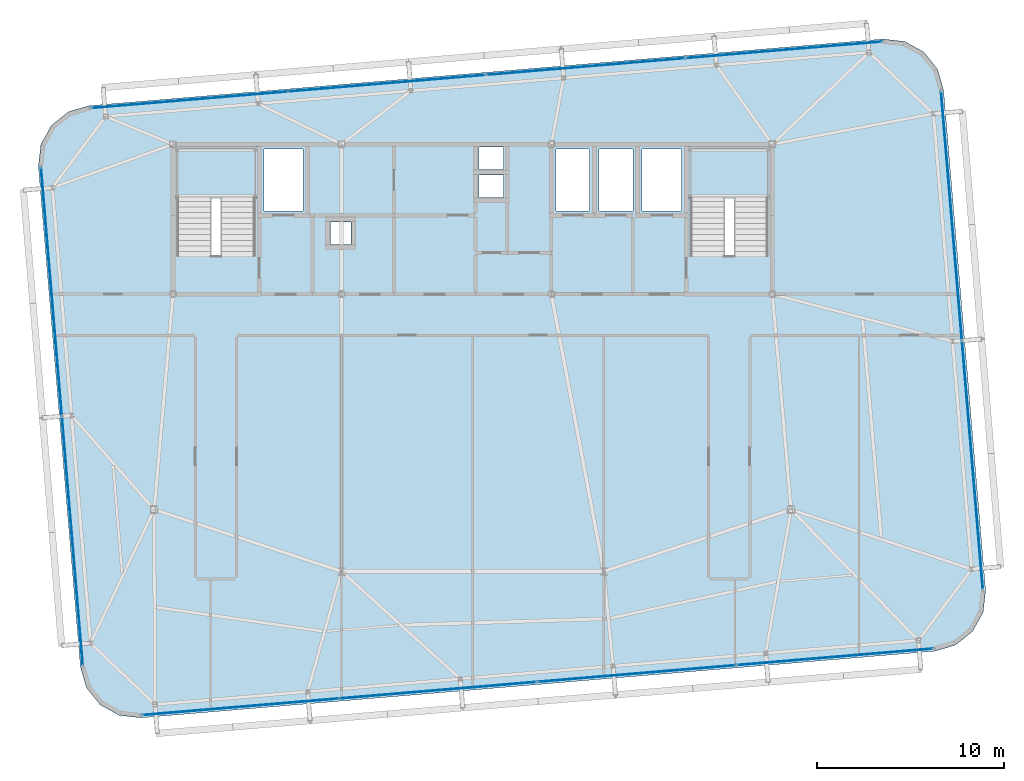
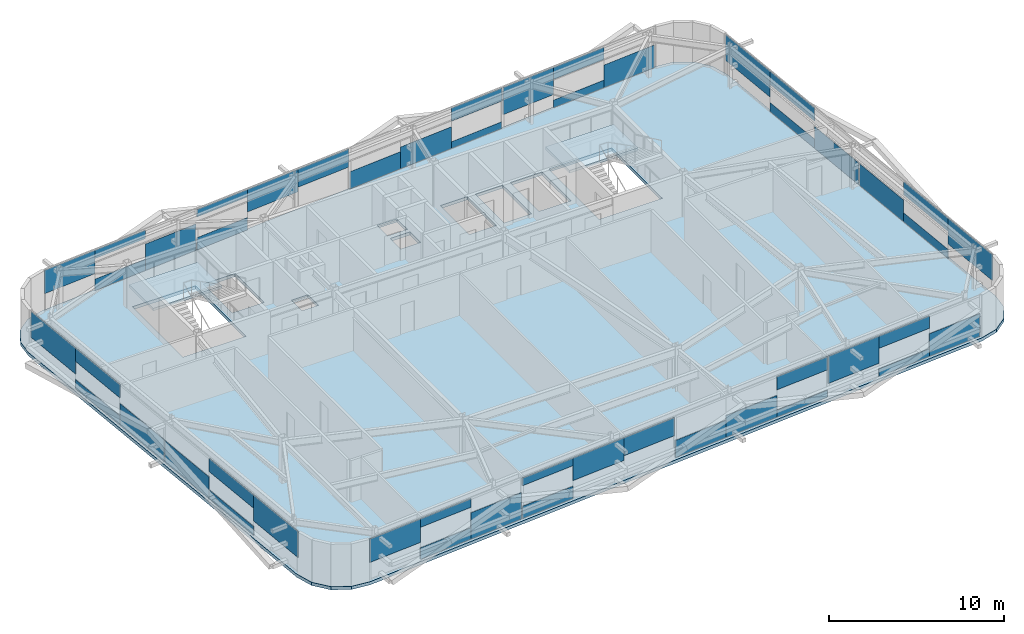
# One storey, part 26 of 39: 48 plates, 3 slabs, 6 elements without a shape of their own.
"""IFC4 building model written with IfcOpenShell, lengths in metres."""

from ifc_helpers import new_model, si_unit, direction, frame, origin, origin_2d, place, context, subcontext, project, spatial, polyline, rectangle, outline, extrude, source, transform, mapped, material, layer, layer_set, type_object, element, aggregate, save


model = new_model("IFC4")

# Units and contexts
model_context = context("Model", 3, precision=1e-05, world=origin(), true_north=direction((0.0, 1.0)))
body_context = subcontext(model_context, "Body", "Model", "MODEL_VIEW")
ifc_project = project(units=[si_unit("LENGTHUNIT", "METRE"), si_unit("AREAUNIT", "SQUARE_METRE"), si_unit("VOLUMEUNIT", "CUBIC_METRE"), si_unit("PLANEANGLEUNIT", "RADIAN"), si_unit("MASSUNIT", "GRAM", prefix="KILO")], contexts=[model_context])

# Site, building, storey
site_placement = place(None, origin())
site = spatial("IfcSite", under=ifc_project, at=site_placement, CompositionType="ELEMENT")
building_placement = place(site_placement, origin())
building = spatial("IfcBuilding", under=site, at=building_placement, Name="Taldren Reach Tower", CompositionType="ELEMENT")
storey_placement = place(building_placement, frame((0.0, 0.0, 178.85009765625)))
storey = spatial("IfcBuildingStorey", under=building, at=storey_placement, Name="L54", CompositionType="ELEMENT", Elevation=178.85009765625)

# Slab
ifc_material_1 = material(Name="Concrete N40 (40 MPa)", Category="concrete")
ifc_layer_1 = layer(ifc_material_1, 0.219970703125)
ifc_layer_set_1 = layer_set([ifc_layer_1], Name="Concrete N40 (40 MPa)")
slab_type_1 = type_object("IfcSlabType", Name="SL-FLR-220", PredefinedType="FLOOR", material=ifc_layer_set_1)
slab_1_placement = place(storey_placement, frame((0.0, 0.0, -0.22021484375)))
element("IfcSlab", 1, at=slab_1_placement, inside=storey, type_object=slab_type_1, Name="Suspended floor slab L54", PredefinedType="FLOOR", context=body_context, shape_type="SweptSolid", body=[
    extrude(outline(polyline([(59.647705078125, 4.935791015625), (60.772705078125, 5.25927734375), (61.688232421875, 5.98876953125), (62.254638671875, 7.012939453125), (62.38623046875, 8.17626953125), (60.1435546875, 34.882080078125), (59.820068359375, 36.007080078125), (59.090576171875, 36.922607421875), (58.06640625, 37.4892578125), (56.903076171875, 37.62060546875), (14.55224609375, 34.064208984375), (13.42724609375, 33.74072265625), (12.511962890625, 33.01123046875), (11.9453125, 31.987060546875), (11.813720703125, 30.82373046875), (14.056396484375, 4.117919921875), (14.3798828125, 2.992919921875), (15.109375, 2.077392578125), (16.1337890625, 1.5107421875), (17.296875, 1.37939453125), (59.647705078125, 4.935791015625)]), holes=[polyline([(19.219970703125, 26.050048828125), (23.3798828125, 26.050048828125), (23.3798828125, 31.820068359375), (19.219970703125, 31.820068359375), (19.219970703125, 26.050048828125)]), polyline([(46.6201171875, 26.050048828125), (50.780029296875, 26.050048828125), (50.780029296875, 31.820068359375), (46.6201171875, 31.820068359375), (46.6201171875, 26.050048828125)]), polyline([(23.85009765625, 28.449951171875), (25.949951171875, 28.449951171875), (25.949951171875, 31.75), (23.85009765625, 31.75), (23.85009765625, 28.449951171875)]), polyline([(44.050048828125, 28.449951171875), (46.14990234375, 28.449951171875), (46.14990234375, 31.75), (44.050048828125, 31.75), (44.050048828125, 28.449951171875)]), polyline([(39.449951171875, 28.449951171875), (41.25, 28.449951171875), (41.25, 31.75), (39.449951171875, 31.75), (39.449951171875, 28.449951171875)]), polyline([(41.75, 28.449951171875), (43.550048828125, 28.449951171875), (43.550048828125, 31.75), (41.75, 31.75), (41.75, 28.449951171875)]), polyline([(35.35009765625, 30.64990234375), (36.64990234375, 30.64990234375), (36.64990234375, 31.85009765625), (35.35009765625, 31.85009765625), (35.35009765625, 30.64990234375)]), polyline([(35.35009765625, 29.14990234375), (36.64990234375, 29.14990234375), (36.64990234375, 30.35009765625), (35.35009765625, 30.35009765625), (35.35009765625, 29.14990234375)]), polyline([(27.39990234375, 26.64990234375), (28.5, 26.64990234375), (28.5, 27.85009765625), (27.39990234375, 27.85009765625), (27.39990234375, 26.64990234375)])]), origin(), (0.0, 0.0, 1.0), 0.22021484375),
])

# Stair, slab
ifc_material_2 = material(Name="Concrete S50 (50 MPa)", Category="concrete")
stair_type = type_object("IfcStairType", Name="ST-HT-315", PredefinedType="HALF_TURN_STAIR", material=ifc_material_2)
stair_1_placement = place(storey_placement, origin())
stair_1 = element("IfcStair", 2, at=stair_1_placement, inside=storey, type_object=stair_type, Name="Fire-isolated exit stair ST1 L54", PredefinedType="HALF_TURN_STAIR")
ifc_layer_2 = layer(ifc_material_2, 0.179931640625)
ifc_layer_set_2 = layer_set([ifc_layer_2], Name="Concrete S50 (50 MPa)")
slab_type_2 = type_object("IfcSlabType", Name="SL-LAND-180", PredefinedType="LANDING", material=ifc_layer_set_2)
slab_2_placement = place(storey_placement, frame((0.0, 0.0, 1.39501953125)))
slab_2 = element("IfcSlab", 3, at=slab_2_placement, type_object=slab_type_2, Name="ST1 landing 1", PredefinedType="LANDING", context=body_context, shape_type="SweptSolid", body=[
    extrude(outline(polyline([(19.0400390625, 29.135009765625), (23.56005859375, 29.135009765625), (23.56005859375, 31.8701171875), (19.0400390625, 31.8701171875), (19.0400390625, 29.135009765625)])), origin(), (0.0, 0.0, 1.0), 0.179931640625),
])
aggregate(stair_1, [slab_2])

stair_2_placement = place(storey_placement, origin())
stair_2 = element("IfcStair", 4, at=stair_2_placement, inside=storey, type_object=stair_type, Name="Fire-isolated exit stair ST2 L54", PredefinedType="HALF_TURN_STAIR")
slab_3_placement = place(storey_placement, frame((0.0, 0.0, 1.39501953125)))
slab_3 = element("IfcSlab", 5, at=slab_3_placement, type_object=slab_type_2, Name="ST2 landing 1", PredefinedType="LANDING", context=body_context, shape_type="SweptSolid", body=[
    extrude(outline(polyline([(46.43994140625, 29.135009765625), (50.9599609375, 29.135009765625), (50.9599609375, 31.8701171875), (46.43994140625, 31.8701171875), (46.43994140625, 29.135009765625)])), origin(), (0.0, 0.0, 1.0), 0.179931640625),
])
aggregate(stair_2, [slab_3])

# Curtain wall, plate
ifc_material_3 = material(Name="Aluminium and Low-E Glass Unitised System", Category="aluminium")
ifc_layer_3 = layer(ifc_material_3, 0.159912109375)
ifc_layer_set_3 = layer_set([ifc_layer_3], Name="Aluminium and Low-E Glass Unitised System")
curtain_wall_type = type_object("IfcCurtainWallType", Name="CW-SYS-5", PredefinedType="NOTDEFINED", material=ifc_layer_set_3)
curtain_wall_1_placement = place(storey_placement, origin())
curtain_wall_1 = element("IfcCurtainWall", 6, at=curtain_wall_1_placement, inside=storey, type_object=curtain_wall_type, Name="Unitised curtain wall CW-L54-S", PredefinedType="NOTDEFINED")
ifc_material_4 = material(Name="Acoustic Triple-Laminated IGU", Category="glass")
ifc_layer_4 = layer(ifc_material_4, 0.035888671875)
ifc_layer_set_4 = layer_set([ifc_layer_4], Name="Acoustic Triple-Laminated IGU")
plate_type = type_object("IfcPlateType", Name="CW-PNL-IGU36", PredefinedType="CURTAIN_PANEL", material=ifc_layer_set_4)
shared_shape_1 = source(origin(), body_context, "Body", "SweptSolid", [
    extrude(rectangle(XDim=3.506591796875, YDim=0.035888671875, at=origin_2d()), origin(), (0.0, 0.0, 1.0), 1.63232421875),
])
plate_1_placement = place(storey_placement, frame((19.10205078125, 1.67138671875, 1.237548828125), z_axis=(0.0, 0.0, 1.0), x_axis=(0.996492854922, 0.083677894865, 0.0)))
plate_1 = element("IfcPlate", 7, at=plate_1_placement, type_object=plate_type, Name="CW-5 panel 1.1 part 1", PredefinedType="CURTAIN_PANEL", context=body_context, shape_type="MappedRepresentation", body=[
    mapped(shared_shape_1, transform((0.0, 0.0, 0.0), scale=1.0)),
])

curtain_wall_2_placement = place(storey_placement, origin())
curtain_wall_2 = element("IfcCurtainWall", 8, at=curtain_wall_2_placement, inside=storey, type_object=curtain_wall_type, Name="Unitised curtain wall CW-L54-N", PredefinedType="NOTDEFINED")
plate_2_placement = place(storey_placement, frame((16.380859375, 34.077392578125, 1.237548828125), z_axis=(0.0, 0.0, 1.0), x_axis=(-0.99649285657, -0.083677875247, 0.0)))
plate_2 = element("IfcPlate", 9, at=plate_2_placement, type_object=plate_type, Name="CW-5 panel 4.1 part 4", PredefinedType="CURTAIN_PANEL", context=body_context, shape_type="MappedRepresentation", body=[
    mapped(shared_shape_1, transform((0.0, 0.0, 0.0), scale=1.0)),
])

# Plate
shared_shape_2 = source(origin(), body_context, "Body", "SweptSolid", [
    extrude(rectangle(XDim=3.506591796875, YDim=0.035888671875, at=origin_2d()), origin(), (0.0, 0.0, 1.0), 0.7919921875),
])
plate_3_placement = place(storey_placement, frame((22.596435546875, 1.96484375, 0.06005859375), z_axis=(0.0, 0.0, 1.0), x_axis=(0.996492854922, 0.083677894865, 0.0)))
plate_3 = element("IfcPlate", 10, at=plate_3_placement, type_object=plate_type, Name="CW-5 panel 1.1 part 2", PredefinedType="CURTAIN_PANEL", context=body_context, shape_type="MappedRepresentation", body=[
    mapped(shared_shape_2, transform((0.0, 0.0, 0.0), scale=1.0)),
])

plate_4_placement = place(storey_placement, frame((19.875244140625, 34.370849609375, 0.06005859375), z_axis=(0.0, 0.0, 1.0), x_axis=(-0.99649285657, -0.083677875247, 0.0)))
plate_4 = element("IfcPlate", 11, at=plate_4_placement, type_object=plate_type, Name="CW-5 panel 4.1 part 2", PredefinedType="CURTAIN_PANEL", context=body_context, shape_type="MappedRepresentation", body=[
    mapped(shared_shape_2, transform((0.0, 0.0, 0.0), scale=1.0)),
])

shared_shape_3 = source(origin(), body_context, "Body", "SweptSolid", [
    extrude(rectangle(XDim=3.506591796875, YDim=0.035888671875, at=origin_2d()), origin(), (0.0, 0.0, 1.0), 0.590576171875),
])
plate_5_placement = place(storey_placement, frame((22.596435546875, 1.96484375, 2.279296875), z_axis=(0.0, 0.0, 1.0), x_axis=(0.996492854922, 0.083677894865, 0.0)))
plate_5 = element("IfcPlate", 12, at=plate_5_placement, type_object=plate_type, Name="CW-5 panel 1.1 part 3", PredefinedType="CURTAIN_PANEL", context=body_context, shape_type="MappedRepresentation", body=[
    mapped(shared_shape_3, transform((0.0, 0.0, 0.0), scale=1.0)),
])

plate_6_placement = place(storey_placement, frame((19.875244140625, 34.370849609375, 2.279296875), z_axis=(0.0, 0.0, 1.0), x_axis=(-0.99649285657, -0.083677875247, 0.0)))
plate_6 = element("IfcPlate", 13, at=plate_6_placement, type_object=plate_type, Name="CW-5 panel 4.1 part 3", PredefinedType="CURTAIN_PANEL", context=body_context, shape_type="MappedRepresentation", body=[
    mapped(shared_shape_3, transform((0.0, 0.0, 0.0), scale=1.0)),
])

shared_shape_4 = source(origin(), body_context, "Body", "SweptSolid", [
    extrude(rectangle(XDim=3.506591796875, YDim=0.035888671875, at=origin_2d()), origin(), (0.0, 0.0, 1.0), 1.833740234375),
])
plate_7_placement = place(storey_placement, frame((26.0908203125, 2.25830078125, 0.06005859375), z_axis=(0.0, 0.0, 1.0), x_axis=(0.996492854922, 0.083677894865, 0.0)))
plate_7 = element("IfcPlate", 14, at=plate_7_placement, type_object=plate_type, Name="CW-5 panel 1.1 part 4", PredefinedType="CURTAIN_PANEL", context=body_context, shape_type="MappedRepresentation", body=[
    mapped(shared_shape_4, transform((0.0, 0.0, 0.0), scale=1.0)),
])

plate_8_placement = place(storey_placement, frame((23.36962890625, 34.664306640625, 0.06005859375), z_axis=(0.0, 0.0, 1.0), x_axis=(-0.99649285657, -0.083677875247, 0.0)))
plate_8 = element("IfcPlate", 15, at=plate_8_placement, type_object=plate_type, Name="CW-5 panel 4.1 part 1", PredefinedType="CURTAIN_PANEL", context=body_context, shape_type="MappedRepresentation", body=[
    mapped(shared_shape_4, transform((0.0, 0.0, 0.0), scale=1.0)),
])

shared_shape_5 = source(origin(), body_context, "Body", "SweptSolid", [
    extrude(rectangle(XDim=3.518310546875, YDim=0.035888671875, at=origin_2d()), origin(), (0.0, 0.0, 1.0), 0.85302734375),
])
plate_9_placement = place(storey_placement, frame((29.66064453125, 2.55810546875, 0.059814453125), z_axis=(0.0, 0.0, 1.0), x_axis=(0.996492854922, 0.083677894865, 0.0)))
plate_9 = element("IfcPlate", 16, at=plate_9_placement, type_object=plate_type, Name="CW-5 panel 2.1 part 1", PredefinedType="CURTAIN_PANEL", context=body_context, shape_type="MappedRepresentation", body=[
    mapped(shared_shape_5, transform((0.0, 0.0, 0.0), scale=1.0)),
])

plate_10_placement = place(storey_placement, frame((26.939453125, 34.964111328125, 0.059814453125), z_axis=(0.0, 0.0, 1.0), x_axis=(-0.99649285657, -0.083677875247, 0.0)))
plate_10 = element("IfcPlate", 17, at=plate_10_placement, type_object=plate_type, Name="CW-5 panel 3.1 part 3", PredefinedType="CURTAIN_PANEL", context=body_context, shape_type="MappedRepresentation", body=[
    mapped(shared_shape_5, transform((0.0, 0.0, 0.0), scale=1.0)),
])

shared_shape_6 = source(origin(), body_context, "Body", "SweptSolid", [
    extrude(rectangle(XDim=3.518310546875, YDim=0.035888671875, at=origin_2d()), origin(), (0.0, 0.0, 1.0), 0.5263671875),
])
plate_11_placement = place(storey_placement, frame((29.66064453125, 2.55810546875, 2.343505859375), z_axis=(0.0, 0.0, 1.0), x_axis=(0.996492854922, 0.083677894865, 0.0)))
plate_11 = element("IfcPlate", 18, at=plate_11_placement, type_object=plate_type, Name="CW-5 panel 2.1 part 2", PredefinedType="CURTAIN_PANEL", context=body_context, shape_type="MappedRepresentation", body=[
    mapped(shared_shape_6, transform((0.0, 0.0, 0.0), scale=1.0)),
])

plate_12_placement = place(storey_placement, frame((26.939453125, 34.964111328125, 2.343505859375), z_axis=(0.0, 0.0, 1.0), x_axis=(-0.99649285657, -0.083677875247, 0.0)))
plate_12 = element("IfcPlate", 19, at=plate_12_placement, type_object=plate_type, Name="CW-5 panel 3.1 part 4", PredefinedType="CURTAIN_PANEL", context=body_context, shape_type="MappedRepresentation", body=[
    mapped(shared_shape_6, transform((0.0, 0.0, 0.0), scale=1.0)),
])

shared_shape_7 = source(origin(), body_context, "Body", "SweptSolid", [
    extrude(rectangle(XDim=3.518310546875, YDim=0.035888671875, at=origin_2d()), origin(), (0.0, 0.0, 1.0), 1.571533203125),
])
plate_13_placement = place(storey_placement, frame((33.166748046875, 2.8525390625, 1.29833984375), z_axis=(0.0, 0.0, 1.0), x_axis=(0.996492854922, 0.083677894865, 0.0)))
plate_13 = element("IfcPlate", 20, at=plate_13_placement, type_object=plate_type, Name="CW-5 panel 2.1 part 3", PredefinedType="CURTAIN_PANEL", context=body_context, shape_type="MappedRepresentation", body=[
    mapped(shared_shape_7, transform((0.0, 0.0, 0.0), scale=1.0)),
])

plate_14_placement = place(storey_placement, frame((30.445556640625, 35.258544921875, 1.29833984375), z_axis=(0.0, 0.0, 1.0), x_axis=(-0.99649285657, -0.083677875247, 0.0)))
plate_14 = element("IfcPlate", 21, at=plate_14_placement, type_object=plate_type, Name="CW-5 panel 3.1 part 2", PredefinedType="CURTAIN_PANEL", context=body_context, shape_type="MappedRepresentation", body=[
    mapped(shared_shape_7, transform((0.0, 0.0, 0.0), scale=1.0)),
])

shared_shape_8 = source(origin(), body_context, "Body", "SweptSolid", [
    extrude(rectangle(XDim=3.518310546875, YDim=0.035888671875, at=origin_2d()), origin(), (0.0, 0.0, 1.0), 1.252685546875),
])
plate_15_placement = place(storey_placement, frame((36.672607421875, 3.14697265625, 1.6171875), z_axis=(0.0, 0.0, 1.0), x_axis=(0.996492854922, 0.083677894865, 0.0)))
plate_15 = element("IfcPlate", 22, at=plate_15_placement, type_object=plate_type, Name="CW-5 panel 2.1 part 4", PredefinedType="CURTAIN_PANEL", context=body_context, shape_type="MappedRepresentation", body=[
    mapped(shared_shape_8, transform((0.0, 0.0, 0.0), scale=1.0)),
])

plate_16_placement = place(storey_placement, frame((33.951416015625, 35.552734375, 1.6171875), z_axis=(0.0, 0.0, 1.0), x_axis=(-0.99649285657, -0.083677875247, 0.0)))
plate_16 = element("IfcPlate", 23, at=plate_16_placement, type_object=plate_type, Name="CW-5 panel 3.1 part 1", PredefinedType="CURTAIN_PANEL", context=body_context, shape_type="MappedRepresentation", body=[
    mapped(shared_shape_8, transform((0.0, 0.0, 0.0), scale=1.0)),
])

shared_shape_9 = source(origin(), body_context, "Body", "SweptSolid", [
    extrude(rectangle(XDim=3.518310546875, YDim=0.035888671875, at=origin_2d()), origin(), (0.0, 0.0, 1.0), 1.192626953125),
])
plate_17_placement = place(storey_placement, frame((40.24853515625, 3.447265625, 0.06005859375), z_axis=(0.0, 0.0, 1.0), x_axis=(0.996492854922, 0.083677894865, 0.0)))
plate_17 = element("IfcPlate", 24, at=plate_17_placement, type_object=plate_type, Name="CW-5 panel 3.1 part 1", PredefinedType="CURTAIN_PANEL", context=body_context, shape_type="MappedRepresentation", body=[
    mapped(shared_shape_9, transform((0.0, 0.0, 0.0), scale=1.0)),
])

plate_18_placement = place(storey_placement, frame((37.52734375, 35.85302734375, 0.06005859375), z_axis=(0.0, 0.0, 1.0), x_axis=(-0.99649285657, -0.083677875247, 0.0)))
plate_18 = element("IfcPlate", 25, at=plate_18_placement, type_object=plate_type, Name="CW-5 panel 2.1 part 4", PredefinedType="CURTAIN_PANEL", context=body_context, shape_type="MappedRepresentation", body=[
    mapped(shared_shape_9, transform((0.0, 0.0, 0.0), scale=1.0)),
])

shared_shape_10 = source(origin(), body_context, "Body", "SweptSolid", [
    extrude(rectangle(XDim=3.518310546875, YDim=0.035888671875, at=origin_2d()), origin(), (0.0, 0.0, 1.0), 1.511474609375),
])
plate_19_placement = place(storey_placement, frame((43.75439453125, 3.741455078125, 0.06005859375), z_axis=(0.0, 0.0, 1.0), x_axis=(0.996492854922, 0.083677894865, 0.0)))
plate_19 = element("IfcPlate", 26, at=plate_19_placement, type_object=plate_type, Name="CW-5 panel 3.1 part 2", PredefinedType="CURTAIN_PANEL", context=body_context, shape_type="MappedRepresentation", body=[
    mapped(shared_shape_10, transform((0.0, 0.0, 0.0), scale=1.0)),
])

plate_20_placement = place(storey_placement, frame((41.033203125, 36.1474609375, 0.06005859375), z_axis=(0.0, 0.0, 1.0), x_axis=(-0.99649285657, -0.083677875247, 0.0)))
plate_20 = element("IfcPlate", 27, at=plate_20_placement, type_object=plate_type, Name="CW-5 panel 2.1 part 3", PredefinedType="CURTAIN_PANEL", context=body_context, shape_type="MappedRepresentation", body=[
    mapped(shared_shape_10, transform((0.0, 0.0, 0.0), scale=1.0)),
])

shared_shape_11 = source(origin(), body_context, "Body", "SweptSolid", [
    extrude(rectangle(XDim=3.518310546875, YDim=0.035888671875, at=origin_2d()), origin(), (0.0, 0.0, 1.0), 0.46630859375),
])
plate_21_placement = place(storey_placement, frame((47.260498046875, 4.035888671875, 0.059814453125), z_axis=(0.0, 0.0, 1.0), x_axis=(0.996492854922, 0.083677894865, 0.0)))
plate_21 = element("IfcPlate", 28, at=plate_21_placement, type_object=plate_type, Name="CW-5 panel 3.1 part 3", PredefinedType="CURTAIN_PANEL", context=body_context, shape_type="MappedRepresentation", body=[
    mapped(shared_shape_11, transform((0.0, 0.0, 0.0), scale=1.0)),
])

plate_22_placement = place(storey_placement, frame((44.539306640625, 36.44189453125, 0.059814453125), z_axis=(0.0, 0.0, 1.0), x_axis=(-0.99649285657, -0.083677875247, 0.0)))
plate_22 = element("IfcPlate", 29, at=plate_22_placement, type_object=plate_type, Name="CW-5 panel 2.1 part 1", PredefinedType="CURTAIN_PANEL", context=body_context, shape_type="MappedRepresentation", body=[
    mapped(shared_shape_11, transform((0.0, 0.0, 0.0), scale=1.0)),
])

shared_shape_12 = source(origin(), body_context, "Body", "SweptSolid", [
    extrude(rectangle(XDim=3.518310546875, YDim=0.035888671875, at=origin_2d()), origin(), (0.0, 0.0, 1.0), 0.9130859375),
])
plate_23_placement = place(storey_placement, frame((47.260498046875, 4.035888671875, 1.956787109375), z_axis=(0.0, 0.0, 1.0), x_axis=(0.996492854922, 0.083677894865, 0.0)))
plate_23 = element("IfcPlate", 30, at=plate_23_placement, type_object=plate_type, Name="CW-5 panel 3.1 part 4", PredefinedType="CURTAIN_PANEL", context=body_context, shape_type="MappedRepresentation", body=[
    mapped(shared_shape_12, transform((0.0, 0.0, 0.0), scale=1.0)),
])

plate_24_placement = place(storey_placement, frame((44.539306640625, 36.44189453125, 1.956787109375), z_axis=(0.0, 0.0, 1.0), x_axis=(-0.99649285657, -0.083677875247, 0.0)))
plate_24 = element("IfcPlate", 31, at=plate_24_placement, type_object=plate_type, Name="CW-5 panel 2.1 part 2", PredefinedType="CURTAIN_PANEL", context=body_context, shape_type="MappedRepresentation", body=[
    mapped(shared_shape_12, transform((0.0, 0.0, 0.0), scale=1.0)),
])

shared_shape_13 = source(origin(), body_context, "Body", "SweptSolid", [
    extrude(rectangle(XDim=3.506591796875, YDim=0.035888671875, at=origin_2d()), origin(), (0.0, 0.0, 1.0), 1.893798828125),
])
plate_25_placement = place(storey_placement, frame((50.830322265625, 4.335693359375, 0.97607421875), z_axis=(0.0, 0.0, 1.0), x_axis=(0.996492854922, 0.083677894865, 0.0)))
plate_25 = element("IfcPlate", 32, at=plate_25_placement, type_object=plate_type, Name="CW-5 panel 4.1 part 1", PredefinedType="CURTAIN_PANEL", context=body_context, shape_type="MappedRepresentation", body=[
    mapped(shared_shape_13, transform((0.0, 0.0, 0.0), scale=1.0)),
])

plate_26_placement = place(storey_placement, frame((48.109130859375, 36.74169921875, 0.97607421875), z_axis=(0.0, 0.0, 1.0), x_axis=(-0.99649285657, -0.083677875247, 0.0)))
plate_26 = element("IfcPlate", 33, at=plate_26_placement, type_object=plate_type, Name="CW-5 panel 1.1 part 4", PredefinedType="CURTAIN_PANEL", context=body_context, shape_type="MappedRepresentation", body=[
    mapped(shared_shape_13, transform((0.0, 0.0, 0.0), scale=1.0)),
])

shared_shape_14 = source(origin(), body_context, "Body", "SweptSolid", [
    extrude(rectangle(XDim=3.506591796875, YDim=0.035888671875, at=origin_2d()), origin(), (0.0, 0.0, 1.0), 0.53076171875),
])
plate_27_placement = place(storey_placement, frame((54.32470703125, 4.629150390625, 0.059814453125), z_axis=(0.0, 0.0, 1.0), x_axis=(0.996492854922, 0.083677894865, 0.0)))
plate_27 = element("IfcPlate", 34, at=plate_27_placement, type_object=plate_type, Name="CW-5 panel 4.1 part 2", PredefinedType="CURTAIN_PANEL", context=body_context, shape_type="MappedRepresentation", body=[
    mapped(shared_shape_14, transform((0.0, 0.0, 0.0), scale=1.0)),
])

plate_28_placement = place(storey_placement, frame((51.603515625, 37.03515625, 0.059814453125), z_axis=(0.0, 0.0, 1.0), x_axis=(-0.99649285657, -0.083677875247, 0.0)))
plate_28 = element("IfcPlate", 35, at=plate_28_placement, type_object=plate_type, Name="CW-5 panel 1.1 part 2", PredefinedType="CURTAIN_PANEL", context=body_context, shape_type="MappedRepresentation", body=[
    mapped(shared_shape_14, transform((0.0, 0.0, 0.0), scale=1.0)),
])

shared_shape_15 = source(origin(), body_context, "Body", "SweptSolid", [
    extrude(rectangle(XDim=3.506591796875, YDim=0.035888671875, at=origin_2d()), origin(), (0.0, 0.0, 1.0), 0.85205078125),
])
plate_29_placement = place(storey_placement, frame((54.32470703125, 4.629150390625, 2.017822265625), z_axis=(0.0, 0.0, 1.0), x_axis=(0.996492854922, 0.083677894865, 0.0)))
plate_29 = element("IfcPlate", 36, at=plate_29_placement, type_object=plate_type, Name="CW-5 panel 4.1 part 3", PredefinedType="CURTAIN_PANEL", context=body_context, shape_type="MappedRepresentation", body=[
    mapped(shared_shape_15, transform((0.0, 0.0, 0.0), scale=1.0)),
])

plate_30_placement = place(storey_placement, frame((51.603515625, 37.03515625, 2.017822265625), z_axis=(0.0, 0.0, 1.0), x_axis=(-0.99649285657, -0.083677875247, 0.0)))
plate_30 = element("IfcPlate", 37, at=plate_30_placement, type_object=plate_type, Name="CW-5 panel 1.1 part 3", PredefinedType="CURTAIN_PANEL", context=body_context, shape_type="MappedRepresentation", body=[
    mapped(shared_shape_15, transform((0.0, 0.0, 0.0), scale=1.0)),
])

shared_shape_16 = source(origin(), body_context, "Body", "SweptSolid", [
    extrude(rectangle(XDim=3.506591796875, YDim=0.035888671875, at=origin_2d()), origin(), (0.0, 0.0, 1.0), 1.572265625),
])
plate_31_placement = place(storey_placement, frame((57.819091796875, 4.922607421875, 0.06005859375), z_axis=(0.0, 0.0, 1.0), x_axis=(0.996492854922, 0.083677894865, 0.0)))
plate_31 = element("IfcPlate", 38, at=plate_31_placement, type_object=plate_type, Name="CW-5 panel 4.1 part 4", PredefinedType="CURTAIN_PANEL", context=body_context, shape_type="MappedRepresentation", body=[
    mapped(shared_shape_16, transform((0.0, 0.0, 0.0), scale=1.0)),
])

aggregate(curtain_wall_1, [plate_1, plate_3, plate_5, plate_7, plate_9, plate_11, plate_13, plate_15, plate_17, plate_19, plate_21, plate_23, plate_25, plate_27, plate_29, plate_31])

plate_32_placement = place(storey_placement, frame((55.097900390625, 37.32861328125, 0.06005859375), z_axis=(0.0, 0.0, 1.0), x_axis=(-0.99649285657, -0.083677875247, 0.0)))
plate_32 = element("IfcPlate", 39, at=plate_32_placement, type_object=plate_type, Name="CW-5 panel 1.1 part 1", PredefinedType="CURTAIN_PANEL", context=body_context, shape_type="MappedRepresentation", body=[
    mapped(shared_shape_16, transform((0.0, 0.0, 0.0), scale=1.0)),
])

aggregate(curtain_wall_2, [plate_32, plate_28, plate_30, plate_26, plate_22, plate_24, plate_20, plate_18, plate_16, plate_14, plate_10, plate_12, plate_8, plate_4, plate_6, plate_2])

# Curtain wall, plates
curtain_wall_3_placement = place(storey_placement, origin())
curtain_wall_3 = element("IfcCurtainWall", 40, at=curtain_wall_3_placement, inside=storey, type_object=curtain_wall_type, Name="Unitised curtain wall CW-L54-W", PredefinedType="NOTDEFINED")
shared_shape_17 = source(origin(), body_context, "Body", "SweptSolid", [
    extrude(rectangle(XDim=4.431640625, YDim=0.035888671875, at=origin_2d()), origin(), (0.0, 0.0, 1.0), 1.803955078125),
])
plate_33_placement = place(storey_placement, frame((12.14453125, 28.5576171875, 1.06591796875), z_axis=(0.0, 0.0, 1.0), x_axis=(0.083677979808, -0.996492847789, 0.0)))
plate_33 = element("IfcPlate", 41, at=plate_33_placement, type_object=plate_type, Name="CW-5 panel 1.1 part 1", PredefinedType="CURTAIN_PANEL", context=body_context, shape_type="MappedRepresentation", body=[
    mapped(shared_shape_17, transform((0.0, 0.0, 0.0), scale=1.0)),
])
plate_34_placement = place(storey_placement, frame((14.004638671875, 6.4072265625, 1.06591796875), z_axis=(0.0, 0.0, 1.0), x_axis=(0.083677979808, -0.996492847789, 0.0)))
plate_34 = element("IfcPlate", 42, at=plate_34_placement, type_object=plate_type, Name="CW-5 panel 2.1 part 4", PredefinedType="CURTAIN_PANEL", context=body_context, shape_type="MappedRepresentation", body=[
    mapped(shared_shape_17, transform((0.0, 0.0, 0.0), scale=1.0)),
])

curtain_wall_4_placement = place(storey_placement, origin())
curtain_wall_4 = element("IfcCurtainWall", 43, at=curtain_wall_4_placement, inside=storey, type_object=curtain_wall_type, Name="Unitised curtain wall CW-L54-E", PredefinedType="NOTDEFINED")
plate_35_placement = place(storey_placement, frame((62.055419921875, 10.4423828125, 1.06591796875), z_axis=(0.0, 0.0, 1.0), x_axis=(-0.083677979808, 0.996492847789, 0.0)))
plate_35 = element("IfcPlate", 44, at=plate_35_placement, type_object=plate_type, Name="CW-5 panel 1.1 part 1", PredefinedType="CURTAIN_PANEL", context=body_context, shape_type="MappedRepresentation", body=[
    mapped(shared_shape_17, transform((0.0, 0.0, 0.0), scale=1.0)),
])
plate_36_placement = place(storey_placement, frame((60.1953125, 32.5927734375, 1.06591796875), z_axis=(0.0, 0.0, 1.0), x_axis=(-0.083677979808, 0.996492847789, 0.0)))
plate_36 = element("IfcPlate", 45, at=plate_36_placement, type_object=plate_type, Name="CW-5 panel 2.1 part 4", PredefinedType="CURTAIN_PANEL", context=body_context, shape_type="MappedRepresentation", body=[
    mapped(shared_shape_17, transform((0.0, 0.0, 0.0), scale=1.0)),
])

# Plate
shared_shape_18 = source(origin(), body_context, "Body", "SweptSolid", [
    extrude(rectangle(XDim=4.431640625, YDim=0.035888671875, at=origin_2d()), origin(), (0.0, 0.0, 1.0), 0.629150390625),
])
plate_37_placement = place(storey_placement, frame((12.515380859375, 24.1416015625, 0.06005859375), z_axis=(0.0, 0.0, 1.0), x_axis=(0.083677979808, -0.996492847789, 0.0)))
plate_37 = element("IfcPlate", 46, at=plate_37_placement, type_object=plate_type, Name="CW-5 panel 1.1 part 2", PredefinedType="CURTAIN_PANEL", context=body_context, shape_type="MappedRepresentation", body=[
    mapped(shared_shape_18, transform((0.0, 0.0, 0.0), scale=1.0)),
])

plate_38_placement = place(storey_placement, frame((13.6337890625, 10.823486328125, 0.06005859375), z_axis=(0.0, 0.0, 1.0), x_axis=(0.083677979808, -0.996492847789, 0.0)))
plate_38 = element("IfcPlate", 47, at=plate_38_placement, type_object=plate_type, Name="CW-5 panel 2.1 part 2", PredefinedType="CURTAIN_PANEL", context=body_context, shape_type="MappedRepresentation", body=[
    mapped(shared_shape_18, transform((0.0, 0.0, 0.0), scale=1.0)),
])

plate_39_placement = place(storey_placement, frame((61.6845703125, 14.8583984375, 0.06005859375), z_axis=(0.0, 0.0, 1.0), x_axis=(-0.083677979808, 0.996492847789, 0.0)))
plate_39 = element("IfcPlate", 48, at=plate_39_placement, type_object=plate_type, Name="CW-5 panel 1.1 part 2", PredefinedType="CURTAIN_PANEL", context=body_context, shape_type="MappedRepresentation", body=[
    mapped(shared_shape_18, transform((0.0, 0.0, 0.0), scale=1.0)),
])

plate_40_placement = place(storey_placement, frame((60.566162109375, 28.176513671875, 0.06005859375), z_axis=(0.0, 0.0, 1.0), x_axis=(-0.083677979808, 0.996492847789, 0.0)))
plate_40 = element("IfcPlate", 49, at=plate_40_placement, type_object=plate_type, Name="CW-5 panel 2.1 part 2", PredefinedType="CURTAIN_PANEL", context=body_context, shape_type="MappedRepresentation", body=[
    mapped(shared_shape_18, transform((0.0, 0.0, 0.0), scale=1.0)),
])

shared_shape_19 = source(origin(), body_context, "Body", "SweptSolid", [
    extrude(rectangle(XDim=4.431640625, YDim=0.035888671875, at=origin_2d()), origin(), (0.0, 0.0, 1.0), 0.921142578125),
])
plate_41_placement = place(storey_placement, frame((12.515380859375, 24.1416015625, 1.94873046875), z_axis=(0.0, 0.0, 1.0), x_axis=(0.083677979808, -0.996492847789, 0.0)))
plate_41 = element("IfcPlate", 50, at=plate_41_placement, type_object=plate_type, Name="CW-5 panel 1.1 part 3", PredefinedType="CURTAIN_PANEL", context=body_context, shape_type="MappedRepresentation", body=[
    mapped(shared_shape_19, transform((0.0, 0.0, 0.0), scale=1.0)),
])

plate_42_placement = place(storey_placement, frame((13.6337890625, 10.823486328125, 1.94873046875), z_axis=(0.0, 0.0, 1.0), x_axis=(0.083677979808, -0.996492847789, 0.0)))
plate_42 = element("IfcPlate", 51, at=plate_42_placement, type_object=plate_type, Name="CW-5 panel 2.1 part 3", PredefinedType="CURTAIN_PANEL", context=body_context, shape_type="MappedRepresentation", body=[
    mapped(shared_shape_19, transform((0.0, 0.0, 0.0), scale=1.0)),
])

plate_43_placement = place(storey_placement, frame((61.6845703125, 14.8583984375, 1.94873046875), z_axis=(0.0, 0.0, 1.0), x_axis=(-0.083677979808, 0.996492847789, 0.0)))
plate_43 = element("IfcPlate", 52, at=plate_43_placement, type_object=plate_type, Name="CW-5 panel 1.1 part 3", PredefinedType="CURTAIN_PANEL", context=body_context, shape_type="MappedRepresentation", body=[
    mapped(shared_shape_19, transform((0.0, 0.0, 0.0), scale=1.0)),
])

plate_44_placement = place(storey_placement, frame((60.566162109375, 28.176513671875, 1.94873046875), z_axis=(0.0, 0.0, 1.0), x_axis=(-0.083677979808, 0.996492847789, 0.0)))
plate_44 = element("IfcPlate", 53, at=plate_44_placement, type_object=plate_type, Name="CW-5 panel 2.1 part 3", PredefinedType="CURTAIN_PANEL", context=body_context, shape_type="MappedRepresentation", body=[
    mapped(shared_shape_19, transform((0.0, 0.0, 0.0), scale=1.0)),
])

shared_shape_20 = source(origin(), body_context, "Body", "SweptSolid", [
    extrude(rectangle(XDim=4.431640625, YDim=0.035888671875, at=origin_2d()), origin(), (0.0, 0.0, 1.0), 1.51171875),
])
plate_45_placement = place(storey_placement, frame((12.88623046875, 19.7255859375, 0.06005859375), z_axis=(0.0, 0.0, 1.0), x_axis=(0.083677979808, -0.996492847789, 0.0)))
plate_45 = element("IfcPlate", 54, at=plate_45_placement, type_object=plate_type, Name="CW-5 panel 1.1 part 4", PredefinedType="CURTAIN_PANEL", context=body_context, shape_type="MappedRepresentation", body=[
    mapped(shared_shape_20, transform((0.0, 0.0, 0.0), scale=1.0)),
])

plate_46_placement = place(storey_placement, frame((13.262939453125, 15.239501953125, 0.06005859375), z_axis=(0.0, 0.0, 1.0), x_axis=(0.083677979808, -0.996492847789, 0.0)))
plate_46 = element("IfcPlate", 55, at=plate_46_placement, type_object=plate_type, Name="CW-5 panel 2.1 part 1", PredefinedType="CURTAIN_PANEL", context=body_context, shape_type="MappedRepresentation", body=[
    mapped(shared_shape_20, transform((0.0, 0.0, 0.0), scale=1.0)),
])

aggregate(curtain_wall_3, [plate_33, plate_37, plate_41, plate_45, plate_46, plate_38, plate_42, plate_34])

plate_47_placement = place(storey_placement, frame((61.313720703125, 19.2744140625, 0.06005859375), z_axis=(0.0, 0.0, 1.0), x_axis=(-0.083677979808, 0.996492847789, 0.0)))
plate_47 = element("IfcPlate", 56, at=plate_47_placement, type_object=plate_type, Name="CW-5 panel 1.1 part 4", PredefinedType="CURTAIN_PANEL", context=body_context, shape_type="MappedRepresentation", body=[
    mapped(shared_shape_20, transform((0.0, 0.0, 0.0), scale=1.0)),
])

plate_48_placement = place(storey_placement, frame((60.93701171875, 23.760498046875, 0.06005859375), z_axis=(0.0, 0.0, 1.0), x_axis=(-0.083677979808, 0.996492847789, 0.0)))
plate_48 = element("IfcPlate", 57, at=plate_48_placement, type_object=plate_type, Name="CW-5 panel 2.1 part 1", PredefinedType="CURTAIN_PANEL", context=body_context, shape_type="MappedRepresentation", body=[
    mapped(shared_shape_20, transform((0.0, 0.0, 0.0), scale=1.0)),
])

aggregate(curtain_wall_4, [plate_35, plate_39, plate_43, plate_47, plate_48, plate_40, plate_44, plate_36])

save(model, "model.ifc")
